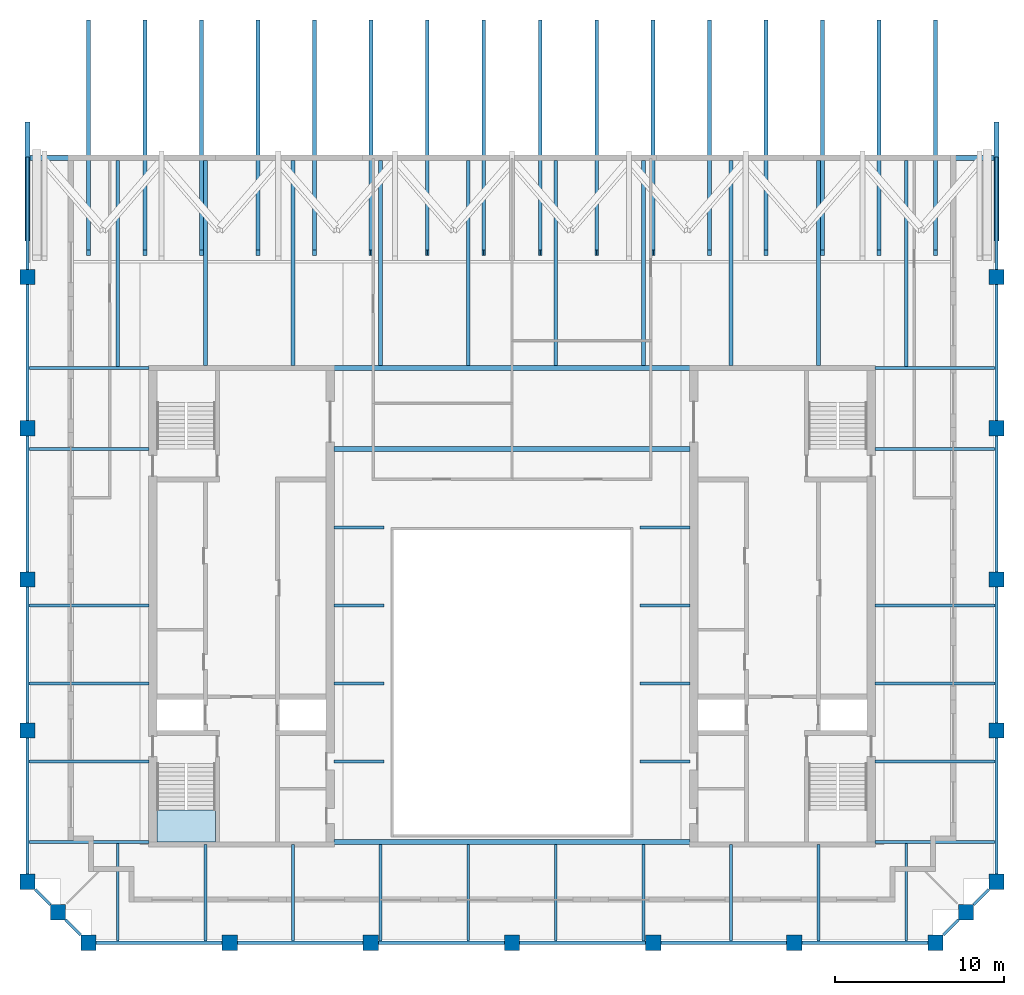
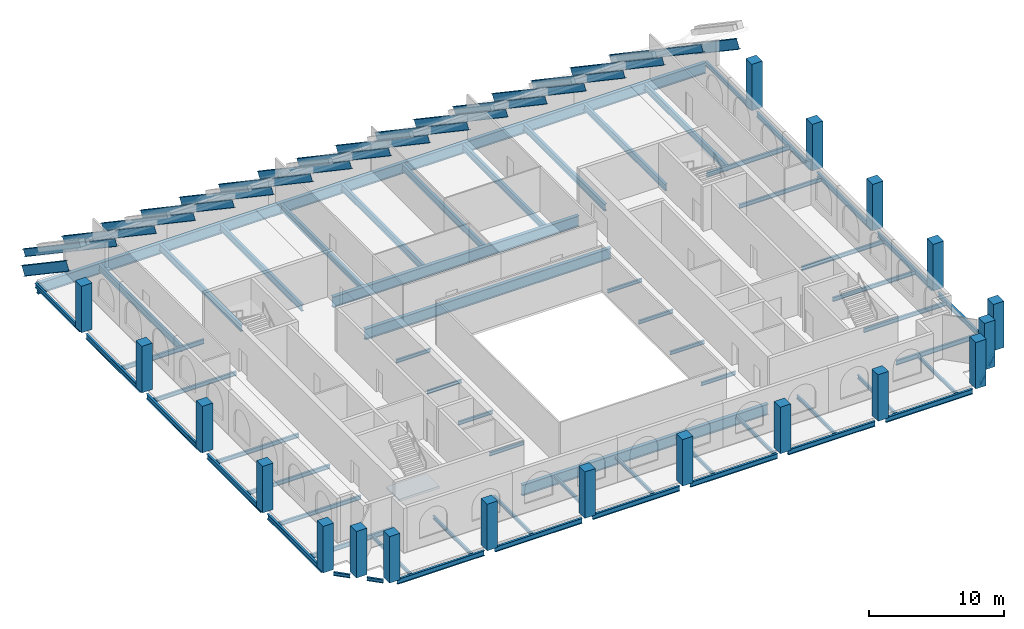
# One storey, part 1 of 8: 66 beams, 19 columns, 16 members, 1 slab, 1 element without a shape of its own.
"""IFC4 building model written with IfcOpenShell, lengths in metres."""

import ifcopenshell
import ifcopenshell.guid

model = None  # the IFC model being written
_history = None  # IfcOwnerHistory: only IFC2X3 demands one
_inside = {}  # id of a spatial element -> (the spatial element, [elements in it])
_under = {}  # id of a project, library or spatial element -> (it, [spatial elements below it])
_declared = {}  # id of a project -> (the project, [libraries it declares])
_typed = {}  # id of a type object -> (the type object, [elements of that type])
_made_of = {}  # id of a material, layer set ... -> (it, [elements and type objects made of it])


def new_model(schema):
    """Start an empty IFC model of exactly this schema.

    Asked for "IFC4X3", IfcOpenShell would pick the latest addendum, in which some entities
    have other attributes; the version numbers below select the first issue.
    IFC2X3 requires an IfcOwnerHistory on every rooted entity: one is made here for all.
    """
    global model, _history
    if schema == "IFC4X3":
        model = ifcopenshell.file(schema_version=(4, 3, 0, 0))
    else:
        model = ifcopenshell.file(schema=schema)
    _inside.clear()
    _under.clear()
    _declared.clear()
    _typed.clear()
    _made_of.clear()
    _history = None
    if model.schema == "IFC2X3":
        org = make("IfcOrganization", Name="unknown")
        user = make(
            "IfcPersonAndOrganization",
            ThePerson=make("IfcPerson", FamilyName="unknown"),
            TheOrganization=org,
        )
        app = make(
            "IfcApplication",
            ApplicationDeveloper=org,
            Version="unknown",
            ApplicationFullName="unknown",
            ApplicationIdentifier="unknown",
        )
        _history = make(
            "IfcOwnerHistory",
            OwningUser=user,
            OwningApplication=app,
            ChangeAction="ADDED",
            CreationDate=0,
        )
    return model


def make(cls, **values):
    """One entity of the class cls with the attributes given. An attribute that is None is left unset."""
    return model.create_entity(
        cls, **{name: value for name, value in values.items() if value is not None}
    )


def rooted(cls, **values):
    """An entity with a GlobalId (a new one), such as an element, a storey or a relation."""
    return make(cls, GlobalId=ifcopenshell.guid.new(), OwnerHistory=_history, **values)


def si_unit(unit_type, name, prefix=None):
    """IfcSIUnit, for example si_unit("LENGTHUNIT", "METRE", prefix="MILLI")."""
    return make("IfcSIUnit", UnitType=unit_type, Prefix=prefix, Name=name)


def assignment(units):
    """IfcUnitAssignment: the units of a project."""
    return None if units is None else make("IfcUnitAssignment", Units=units)


def point(xyz):
    """IfcCartesianPoint."""
    return None if xyz is None else make("IfcCartesianPoint", Coordinates=xyz)


def direction(xyz):
    """IfcDirection."""
    return None if xyz is None else make("IfcDirection", DirectionRatios=xyz)


def frame(location, z_axis=None, x_axis=None):
    """IfcAxis2Placement3D, a coordinate frame: its origin and axes. An axis left out is left unset."""
    return make(
        "IfcAxis2Placement3D",
        Location=point(location),
        Axis=direction(z_axis),
        RefDirection=direction(x_axis),
    )


def frame_2d(location, x_axis=None):
    """IfcAxis2Placement2D, a coordinate frame in the plane: its origin and x axis."""
    return make(
        "IfcAxis2Placement2D", Location=point(location), RefDirection=direction(x_axis)
    )


def origin():
    """The frame at (0, 0, 0) with its axes left unset."""
    return frame((0.0, 0.0, 0.0))


def origin_2d():
    """The frame at (0, 0) in the plane with its x axis left unset."""
    return frame_2d((0.0, 0.0))


def place(relative_to, where):
    """IfcLocalPlacement: puts the frame where relative to a parent placement (None: the world)."""
    return make(
        "IfcLocalPlacement", PlacementRelTo=relative_to, RelativePlacement=where
    )


def context(
    kind, dimensions, precision=None, world=None, true_north=None, identifier=None
):
    """IfcGeometricRepresentationContext, for example the 3D "Model" context."""
    return make(
        "IfcGeometricRepresentationContext",
        ContextIdentifier=identifier,
        ContextType=kind,
        CoordinateSpaceDimension=dimensions,
        Precision=precision,
        WorldCoordinateSystem=world,
        TrueNorth=true_north,
    )


def subcontext(parent, identifier, kind, view, scale=None):
    """IfcGeometricRepresentationSubContext, for example "Body" below "Model"."""
    return make(
        "IfcGeometricRepresentationSubContext",
        ContextIdentifier=identifier,
        ContextType=kind,
        ParentContext=parent,
        TargetScale=scale,
        TargetView=view,
    )


def project(units=None, contexts=None):
    """IfcProject with its units and contexts."""
    return rooted(
        "IfcProject",
        Name="project",
        RepresentationContexts=contexts,
        UnitsInContext=assignment(units),
    )


def spatial(cls, under=None, at=None, **own):
    """A site, building, storey or space (cls), placed at a placement, below another one or the project."""
    s = rooted(cls, ObjectPlacement=at, **own)
    if under is not None:
        _under.setdefault(under.id(), (under, []))[1].append(s)
    return s


def polyline(points):
    """IfcPolyline through the points."""
    return make("IfcPolyline", Points=[point(p) for p in points])


def profile(cls, at=None, kind="AREA", **sizes):
    """A parametric profile (cls). Its sizes go by their IFC names, for example OverallWidth=200.0."""
    return make(cls, ProfileType=kind, Position=at, **sizes)


def rectangle(**sizes):
    """IfcRectangleProfileDef."""
    return profile("IfcRectangleProfileDef", **sizes)


def i_section(**sizes):
    """IfcIShapeProfileDef."""
    return profile("IfcIShapeProfileDef", **sizes)


def outline(outer, holes=None, kind="AREA"):
    """IfcArbitraryClosedProfileDef: a profile drawn as a closed curve; with holes, ...WithVoids."""
    if holes is None:
        return make("IfcArbitraryClosedProfileDef", ProfileType=kind, OuterCurve=outer)
    return make(
        "IfcArbitraryProfileDefWithVoids",
        ProfileType=kind,
        OuterCurve=outer,
        InnerCurves=holes,
    )


def extrude(swept, where, along, depth):
    """IfcExtrudedAreaSolid: the profile swept, set in the frame where, extruded along a direction by depth."""
    return make(
        "IfcExtrudedAreaSolid",
        SweptArea=swept,
        Position=where,
        ExtrudedDirection=direction(along),
        Depth=depth,
    )


def shape(context_of_items, identifier, shape_type, items):
    """IfcShapeRepresentation: the items that make up one representation, for example the "Body"."""
    return make(
        "IfcShapeRepresentation",
        ContextOfItems=context_of_items,
        RepresentationIdentifier=identifier,
        RepresentationType=shape_type,
        Items=items,
    )


def material(Name=None, Category=None):
    """IfcMaterial."""
    return make("IfcMaterial", Name=Name, Category=Category)


def layer(
    of_material, thickness, ventilated=None, Name=None, Category=None, Priority=None
):
    """IfcMaterialLayer: one layer of a wall or slab, of a material (None: an air gap)."""
    return make(
        "IfcMaterialLayer",
        Material=of_material,
        LayerThickness=thickness,
        IsVentilated=ventilated,
        Name=Name,
        Category=Category,
        Priority=Priority,
    )


def layer_set(layers, Name=None):
    """IfcMaterialLayerSet."""
    return make("IfcMaterialLayerSet", MaterialLayers=layers, LayerSetName=Name)


def material_profile(
    of_material, cross_section, Name=None, Category=None, Priority=None
):
    """IfcMaterialProfile: a cross section and its material."""
    return make(
        "IfcMaterialProfile",
        Name=Name,
        Material=of_material,
        Profile=cross_section,
        Priority=Priority,
        Category=Category,
    )


def profile_set(profiles, Name=None, composite=None):
    """IfcMaterialProfileSet."""
    return make(
        "IfcMaterialProfileSet",
        Name=Name,
        MaterialProfiles=profiles,
        CompositeProfile=composite,
    )


def made_of(thing, what):
    """Note that an element or type object is made of a material, layer set ...; save() writes the relation."""
    if what is not None:
        _made_of.setdefault(what.id(), (what, []))[1].append(thing)
    return thing


def type_object(cls, material=None, **own):
    """A type object (cls), such as IfcWallType, which elements share."""
    return made_of(rooted(cls, **own), material)


def element(
    cls,
    number,
    at=None,
    inside=None,
    cuts=None,
    type_object=None,
    material=None,
    context=None,
    identifier="Body",
    shape_type=None,
    held_by="IfcProductDefinitionShape",
    body=None,
    shapes=None,
    **own,
):
    """One element of the class cls, such as IfcWall. Its Tag is "e" and its number.

    at: its placement. inside: the storey or other place that contains it. cuts: it is an
    opening in that element (IfcRelVoidsElement). A single representation is given by context,
    identifier, shape_type and body (its items); several are given by shapes. held_by: the class
    of the entity that holds the representations. save() writes the other relations.
    """
    e = rooted(cls, Tag="e%d" % number, ObjectPlacement=at, **own)
    if body is not None:
        shapes = [shape(context, identifier, shape_type, body)]
    if shapes is not None:
        e.Representation = make(held_by, Representations=shapes)
    if inside is not None:
        _inside.setdefault(inside.id(), (inside, []))[1].append(e)
    if cuts is not None:
        rooted(
            "IfcRelVoidsElement", RelatingBuildingElement=cuts, RelatedOpeningElement=e
        )
    if type_object is not None:
        _typed.setdefault(type_object.id(), (type_object, []))[1].append(e)
    return made_of(e, material)


def aggregate(whole, parts):
    """IfcRelAggregates: a whole, such as a stair, and the parts it consists of."""
    return rooted("IfcRelAggregates", RelatingObject=whole, RelatedObjects=parts)


def save(model, path):
    """Write the relations noted so far, then the file.

    IfcRelAggregates (storeys below a building ...), IfcRelContainedInSpatialStructure (elements
    in a storey), IfcRelDefinesByType, IfcRelAssociatesMaterial and IfcRelDeclares: one each for
    every whole, place, type object, material and project.
    """
    for whole, parts in _under.values():
        aggregate(whole, parts)
    for where, things in _inside.values():
        rooted(
            "IfcRelContainedInSpatialStructure",
            RelatedElements=things,
            RelatingStructure=where,
        )
    for kind, things in _typed.values():
        rooted("IfcRelDefinesByType", RelatedObjects=things, RelatingType=kind)
    for what, things in _made_of.values():
        rooted("IfcRelAssociatesMaterial", RelatedObjects=things, RelatingMaterial=what)
    for by, libraries in _declared.values():
        rooted("IfcRelDeclares", RelatingContext=by, RelatedDefinitions=libraries)
    model.write(path)


model = new_model("IFC4")

# Units and contexts
model_context = context("Model", 3, precision=1e-05, world=origin(), true_north=direction((0.0, 1.0)))
body_context = subcontext(model_context, "Body", "Model", "MODEL_VIEW")
ifc_project = project(units=[si_unit("LENGTHUNIT", "METRE"), si_unit("AREAUNIT", "SQUARE_METRE"), si_unit("VOLUMEUNIT", "CUBIC_METRE"), si_unit("PLANEANGLEUNIT", "RADIAN"), si_unit("MASSUNIT", "GRAM", prefix="KILO")], contexts=[model_context])

# Site, building, storey
site_placement = place(None, origin())
site = spatial("IfcSite", under=ifc_project, at=site_placement, CompositionType="ELEMENT")
building_placement = place(site_placement, origin())
building = spatial("IfcBuilding", under=site, at=building_placement, Name="Ogive Exchange Tower", CompositionType="ELEMENT")
storey_placement = place(building_placement, frame((0.0, 0.0, 381.60009765625)))
storey = spatial("IfcBuildingStorey", under=building, at=storey_placement, Name="C04", CompositionType="ELEMENT", Elevation=381.60009765625)

# Columns
ifc_material_1 = material(Name="Precast concrete C70/85 (limestone faced)", Category="masonry")
ifc_material_profile_1 = material_profile(ifc_material_1, rectangle(XDim=0.89990234375, YDim=0.89990234375, at=origin_2d()), Name="900 x 900")
ifc_profile_set_1 = profile_set([ifc_material_profile_1], Name="Precast concrete C70/85 (limestone faced)")
column_type = type_object("IfcColumnType", Name="Precast exoskeleton leg 900 x 900 C70/85", PredefinedType="COLUMN", material=ifc_profile_set_1)
for number, where, z_axis, x_axis, name in (
    (1, (-25.050048828125, -8.39990234375, 0.0), (0.0, 0.0, 1.0), (1.0, 0.0, 0.0), "Crown leg 1"),
    (2, (-16.699951171875, -8.39990234375, 0.0), (0.0, 0.0, 1.0), (1.0, 0.0, 0.0), "Crown leg 2"),
    (3, (-8.35009765625, -8.39990234375, 0.0), (0.0, 0.0, 1.0), (1.0, 0.0, 0.0), "Crown leg 3"),
    (4, (0.0, -8.39990234375, 0.0), (0.0, 0.0, 1.0), (1.0, 0.0, 0.0), "Crown leg 4"),
    (5, (8.35009765625, -8.39990234375, 0.0), (0.0, 0.0, 1.0), (1.0, 0.0, 0.0), "Crown leg 5"),
    (6, (16.699951171875, -8.39990234375, 0.0), (0.0, 0.0, 1.0), (1.0, 0.0, 0.0), "Crown leg 6"),
    (7, (25.050048828125, -8.39990234375, 0.0), (0.0, 0.0, 1.0), (1.0, 0.0, 0.0), "Crown leg 7"),
    (8, (28.64990234375, -4.800048828125, 0.0), (0.0, 0.0, 1.0), (1.0, 0.0, 0.0), "Crown leg 8"),
    (9, (28.64990234375, 4.142822265625, 0.0), (0.0, 0.0, 1.0), (1.0, 0.0, 0.0), "Crown leg 9"),
    (10, (28.64990234375, 13.085693359375, 0.0), (0.0, 0.0, 1.0), (1.0, 0.0, 0.0), "Crown leg 10"),
    (11, (28.64990234375, 22.028564453125, 0.0), (0.0, 0.0, 1.0), (1.0, 0.0, 0.0), "Crown leg 11"),
    (12, (28.64990234375, 30.971435546875, 0.0), (0.0, 0.0, 1.0), (1.0, 0.0, 0.0), "Crown leg 12"),
    (13, (-28.64990234375, 30.971435546875, 0.0), (0.0, 0.0, 1.0), (1.0, 0.0, 0.0), "Crown leg 26"),
    (14, (-28.64990234375, 22.028564453125, 0.0), (0.0, 0.0, 1.0), (1.0, 0.0, 0.0), "Crown leg 27"),
    (15, (-28.64990234375, 13.085693359375, 0.0), (0.0, 0.0, 1.0), (1.0, 0.0, 0.0), "Crown leg 28"),
    (16, (-28.64990234375, 4.142822265625, 0.0), (0.0, 0.0, 1.0), (1.0, 0.0, 0.0), "Crown leg 29"),
    (17, (-28.64990234375, -4.800048828125, 0.0), (0.0, 0.0, 1.0), (1.0, 0.0, 0.0), "Crown leg 30"),
    (18, (26.85009765625, -6.60009765625, 0.0), (0.0, 0.0, 1.0), (1.0, 0.0, 0.0), "Crown leg 31"),
    (19, (-26.85009765625, -6.60009765625, 0.0), (0.0, 0.0, 1.0), (1.0, 0.0, 0.0), "Crown leg 34"),
):
    element("IfcColumn", number, at=place(storey_placement, frame(where, z_axis=z_axis, x_axis=x_axis)), inside=storey, type_object=column_type, Name=name, PredefinedType="COLUMN", context=body_context, shape_type="SweptSolid", body=[
        extrude(rectangle(XDim=0.89990234375, YDim=0.89990234375, at=origin_2d()), origin(), (0.0, 0.0, 1.0), 4.199951171875),
    ])

# Members
ifc_material_2 = material(Name="Steel ASTM A992 Gr50", Category="steel")
ifc_material_profile_2 = material_profile(ifc_material_2, i_section(OverallWidth=0.22900390625, OverallDepth=0.612060546875, WebThickness=0.011962890625, FlangeThickness=0.01953125, at=origin_2d()), Name="W610x125")
ifc_profile_set_2 = profile_set([ifc_material_profile_2], Name="Steel ASTM A992 Gr50")
member_type = type_object("IfcMemberType", Name="Crown rafter W610x125", PredefinedType="RAFTER", material=ifc_profile_set_2)
for number, where, z_axis, x_axis, name in (
    (20, (-25.050048828125, 32.39990234375, 5.6240234375), (0.0, 0.829038755374, -0.559191149866), (-1.0, 0.0, 0.0), "Crown rafter"),
    (21, (-21.7099609375, 32.39990234375, 5.6240234375), (0.0, 0.829038755374, -0.559191149866), (-1.0, 0.0, 0.0), "Crown rafter"),
    (22, (-18.3701171875, 32.39990234375, 5.6240234375), (0.0, 0.829038755374, -0.559191149866), (-1.0, 0.0, 0.0), "Crown rafter"),
    (23, (-15.030029296875, 32.39990234375, 5.6240234375), (0.0, 0.829038755374, -0.559191149866), (-1.0, 0.0, 0.0), "Crown rafter"),
    (24, (-11.68994140625, 32.39990234375, 5.6240234375), (0.0, 0.829038755374, -0.559191149866), (-1.0, 0.0, 0.0), "Crown rafter"),
    (25, (-8.35009765625, 32.39990234375, 5.6240234375), (0.0, 0.829038755374, -0.559191149866), (-1.0, 0.0, 0.0), "Crown rafter"),
    (26, (-5.010009765625, 32.39990234375, 5.6240234375), (0.0, 0.829038755374, -0.559191149866), (-1.0, 0.0, 0.0), "Crown rafter"),
    (27, (-1.669921875, 32.39990234375, 5.6240234375), (0.0, 0.829038755374, -0.559191149866), (-1.0, 0.0, 0.0), "Crown rafter"),
    (28, (1.669921875, 32.39990234375, 5.6240234375), (0.0, 0.829038755374, -0.559191149866), (-1.0, 0.0, 0.0), "Crown rafter"),
    (29, (5.010009765625, 32.39990234375, 5.6240234375), (0.0, 0.829038755374, -0.559191149866), (-1.0, 0.0, 0.0), "Crown rafter"),
    (30, (8.35009765625, 32.39990234375, 5.6240234375), (0.0, 0.829038755374, -0.559191149866), (-1.0, 0.0, 0.0), "Crown rafter"),
    (31, (11.68994140625, 32.39990234375, 5.6240234375), (0.0, 0.829038755374, -0.559191149866), (-1.0, 0.0, 0.0), "Crown rafter"),
    (32, (15.030029296875, 32.39990234375, 5.6240234375), (0.0, 0.829038755374, -0.559191149866), (-1.0, 0.0, 0.0), "Crown rafter"),
    (33, (18.3701171875, 32.39990234375, 5.6240234375), (0.0, 0.829038755374, -0.559191149866), (-1.0, 0.0, 0.0), "Crown rafter"),
    (34, (21.7099609375, 32.39990234375, 5.6240234375), (0.0, 0.829038755374, -0.559191149866), (-1.0, 0.0, 0.0), "Crown rafter"),
    (35, (25.050048828125, 32.39990234375, 5.6240234375), (0.0, 0.829038755374, -0.559191149866), (-1.0, 0.0, 0.0), "Crown rafter"),
):
    element("IfcMember", number, at=place(storey_placement, frame(where, z_axis=z_axis, x_axis=x_axis)), inside=storey, type_object=member_type, Name=name, PredefinedType="RAFTER", context=body_context, shape_type="SweptSolid", body=[
        extrude(i_section(OverallWidth=0.22900390625, OverallDepth=0.612060546875, WebThickness=0.011962890625, FlangeThickness=0.01953125, at=origin_2d()), origin(), (0.0, 0.0, 1.0), 16.404541015625),
    ])

# Beams
ifc_material_profile_3 = material_profile(ifc_material_2, i_section(OverallWidth=0.2919921875, OverallDepth=0.8359375, WebThickness=0.013916015625, FlangeThickness=0.018798828125, at=origin_2d()), Name="W840x176")
ifc_profile_set_3 = profile_set([ifc_material_profile_3], Name="Steel ASTM A992 Gr50")
beam_type_1 = type_object("IfcBeamType", Name="Crown raking ring beam W840x176", PredefinedType="BEAM", material=ifc_profile_set_3)
for number, where, z_axis, x_axis, name in (
    (36, (28.64990234375, 33.344970703125, 4.199951171875), (0.0, 0.829032932924, -0.559199781945), (-1.0, 0.0, 0.0), "Crown ring beam 13"),
    (37, (-28.64990234375, 39.914306640625, -0.231201171875), (0.0, -0.829032932924, 0.559199781945), (1.0, 0.0, 0.0), "Crown ring beam 28"),
):
    element("IfcBeam", number, at=place(storey_placement, frame(where, z_axis=z_axis, x_axis=x_axis)), inside=storey, type_object=beam_type_1, Name=name, PredefinedType="BEAM", context=body_context, shape_type="SweptSolid", body=[
        extrude(i_section(OverallWidth=0.2919921875, OverallDepth=0.8359375, WebThickness=0.013916015625, FlangeThickness=0.018798828125, at=origin_2d()), origin(), (0.0, 0.0, 1.0), 7.924072265625),
    ])
ifc_material_profile_4 = material_profile(ifc_material_2, i_section(OverallWidth=0.300048828125, OverallDepth=0.97998046875, WebThickness=0.0166015625, FlangeThickness=0.026123046875, at=origin_2d()), Name="W1000x249")
ifc_profile_set_4 = profile_set([ifc_material_profile_4], Name="Steel ASTM A992 Gr50")
beam_type_2 = type_object("IfcBeamType", Name="Floor beam W1000x249", PredefinedType="JOIST", material=ifc_profile_set_4)
beam_1_placement = place(storey_placement, frame((-10.52001953125, 20.797607421875, -0.690185546875), z_axis=(1.0, 0.0, 0.0), x_axis=(0.0, 1.0, 0.0)))
element("IfcBeam", 38, at=beam_1_placement, inside=storey, type_object=beam_type_2, Name="Floor beam", PredefinedType="JOIST", context=body_context, shape_type="SweptSolid", body=[
    extrude(i_section(OverallWidth=0.300048828125, OverallDepth=0.97998046875, WebThickness=0.0166015625, FlangeThickness=0.026123046875, at=origin_2d()), origin(), (0.0, 0.0, 1.0), 21.0400390625),
])
ifc_material_profile_5 = material_profile(ifc_material_2, i_section(OverallWidth=0.1650390625, OverallDepth=0.31005859375, WebThickness=0.005859375, FlangeThickness=0.009765625, at=origin_2d()), Name="W310x38.7")
ifc_profile_set_5 = profile_set([ifc_material_profile_5], Name="Steel ASTM A992 Gr50")
beam_type_3 = type_object("IfcBeamType", Name="Floor beam W310x38.7", PredefinedType="JOIST", material=ifc_profile_set_5)
for number, where, z_axis, x_axis, name in (
    (39, (-10.52001953125, 2.3212890625, -0.35498046875), (1.0, 0.0, 0.0), (0.0, 1.0, 0.0), "Floor beam"),
    (40, (7.570068359375, 2.3212890625, -0.35498046875), (1.0, 0.0, 0.0), (0.0, 1.0, 0.0), "Floor beam"),
    (41, (-10.52001953125, 6.9326171875, -0.35498046875), (1.0, 0.0, 0.0), (0.0, 1.0, 0.0), "Floor beam"),
    (42, (7.570068359375, 6.9326171875, -0.35498046875), (1.0, 0.0, 0.0), (0.0, 1.0, 0.0), "Floor beam"),
    (43, (-10.52001953125, 11.543701171875, -0.35498046875), (1.0, 0.0, 0.0), (0.0, 1.0, 0.0), "Floor beam"),
    (44, (7.570068359375, 11.543701171875, -0.35498046875), (1.0, 0.0, 0.0), (0.0, 1.0, 0.0), "Floor beam"),
):
    element("IfcBeam", number, at=place(storey_placement, frame(where, z_axis=z_axis, x_axis=x_axis)), inside=storey, type_object=beam_type_3, Name=name, PredefinedType="JOIST", context=body_context, shape_type="SweptSolid", body=[
        extrude(i_section(OverallWidth=0.1650390625, OverallDepth=0.31005859375, WebThickness=0.005859375, FlangeThickness=0.009765625, at=origin_2d()), origin(), (0.0, 0.0, 1.0), 2.949951171875),
    ])
beam_2_placement = place(storey_placement, frame((-23.314208984375, -8.304443359375, -0.35498046875), z_axis=(0.0, 1.0, 0.0), x_axis=(-1.0, 0.0, 0.0)))
element("IfcBeam", 45, at=beam_2_placement, inside=storey, type_object=beam_type_3, Name="Floor beam", PredefinedType="JOIST", context=body_context, shape_type="SweptSolid", body=[
    extrude(i_section(OverallWidth=0.1650390625, OverallDepth=0.31005859375, WebThickness=0.005859375, FlangeThickness=0.009765625, at=origin_2d()), origin(), (0.0, 0.0, 1.0), 5.7705078125),
])
for number, where, z_axis, x_axis, name in (
    (46, (-18.13330078125, -8.304443359375, -0.35498046875), (0.0, 1.0, 0.0), (-1.0, 0.0, 0.0), "Floor beam"),
    (47, (-12.952392578125, -8.304443359375, -0.35498046875), (0.0, 1.0, 0.0), (-1.0, 0.0, 0.0), "Floor beam"),
):
    element("IfcBeam", number, at=place(storey_placement, frame(where, z_axis=z_axis, x_axis=x_axis)), inside=storey, type_object=beam_type_3, Name=name, PredefinedType="JOIST", context=body_context, shape_type="SweptSolid", body=[
        extrude(i_section(OverallWidth=0.1650390625, OverallDepth=0.31005859375, WebThickness=0.005859375, FlangeThickness=0.009765625, at=origin_2d()), origin(), (0.0, 0.0, 1.0), 5.704345703125),
    ])
for number, where, z_axis, x_axis, name in (
    (48, (-7.771484375, -8.304443359375, -0.35498046875), (0.0, 1.0, 0.0), (-1.0, 0.0, 0.0), "Floor beam"),
    (49, (-2.590576171875, -8.304443359375, -0.35498046875), (0.0, 1.0, 0.0), (-1.0, 0.0, 0.0), "Floor beam"),
    (50, (2.590576171875, -8.304443359375, -0.35498046875), (0.0, 1.0, 0.0), (-1.0, 0.0, 0.0), "Floor beam"),
    (51, (7.771484375, -8.304443359375, -0.35498046875), (0.0, 1.0, 0.0), (-1.0, 0.0, 0.0), "Floor beam"),
):
    element("IfcBeam", number, at=place(storey_placement, frame(where, z_axis=z_axis, x_axis=x_axis)), inside=storey, type_object=beam_type_3, Name=name, PredefinedType="JOIST", context=body_context, shape_type="SweptSolid", body=[
        extrude(i_section(OverallWidth=0.1650390625, OverallDepth=0.31005859375, WebThickness=0.005859375, FlangeThickness=0.009765625, at=origin_2d()), origin(), (0.0, 0.0, 1.0), 5.70947265625),
    ])
for number, where, z_axis, x_axis, name in (
    (52, (12.952392578125, -8.304443359375, -0.35498046875), (0.0, 1.0, 0.0), (-1.0, 0.0, 0.0), "Floor beam"),
    (53, (18.13330078125, -8.304443359375, -0.35498046875), (0.0, 1.0, 0.0), (-1.0, 0.0, 0.0), "Floor beam"),
):
    element("IfcBeam", number, at=place(storey_placement, frame(where, z_axis=z_axis, x_axis=x_axis)), inside=storey, type_object=beam_type_3, Name=name, PredefinedType="JOIST", context=body_context, shape_type="SweptSolid", body=[
        extrude(i_section(OverallWidth=0.1650390625, OverallDepth=0.31005859375, WebThickness=0.005859375, FlangeThickness=0.009765625, at=origin_2d()), origin(), (0.0, 0.0, 1.0), 5.704345703125),
    ])
beam_3_placement = place(storey_placement, frame((23.314208984375, -8.304443359375, -0.35498046875), z_axis=(0.0, 1.0, 0.0), x_axis=(-1.0, 0.0, 0.0)))
element("IfcBeam", 54, at=beam_3_placement, inside=storey, type_object=beam_type_3, Name="Floor beam", PredefinedType="JOIST", context=body_context, shape_type="SweptSolid", body=[
    extrude(i_section(OverallWidth=0.1650390625, OverallDepth=0.31005859375, WebThickness=0.005859375, FlangeThickness=0.009765625, at=origin_2d()), origin(), (0.0, 0.0, 1.0), 5.7705078125),
])
ifc_material_profile_6 = material_profile(ifc_material_2, i_section(OverallWidth=0.1708984375, OverallDepth=0.35595703125, WebThickness=0.00732421875, FlangeThickness=0.01171875, at=origin_2d()), Name="W360x51")
ifc_profile_set_6 = profile_set([ifc_material_profile_6], Name="Steel ASTM A992 Gr50")
beam_type_4 = type_object("IfcBeamType", Name="Floor beam W360x51", PredefinedType="JOIST", material=ifc_profile_set_6)
for number, where, z_axis, x_axis, name in (
    (55, (-28.554443359375, 2.3212890625, -0.378173828125), (1.0, 0.0, 0.0), (0.0, 1.0, 0.0), "Floor beam"),
    (56, (21.47998046875, 2.3212890625, -0.378173828125), (1.0, 0.0, 0.0), (0.0, 1.0, 0.0), "Floor beam"),
    (57, (-28.554443359375, 6.9326171875, -0.378173828125), (1.0, 0.0, 0.0), (0.0, 1.0, 0.0), "Floor beam"),
    (58, (21.47998046875, 6.9326171875, -0.378173828125), (1.0, 0.0, 0.0), (0.0, 1.0, 0.0), "Floor beam"),
    (59, (-28.554443359375, 11.543701171875, -0.378173828125), (1.0, 0.0, 0.0), (0.0, 1.0, 0.0), "Floor beam"),
    (60, (21.47998046875, 11.543701171875, -0.378173828125), (1.0, 0.0, 0.0), (0.0, 1.0, 0.0), "Floor beam"),
    (61, (-28.554443359375, 20.797607421875, -0.378173828125), (1.0, 0.0, 0.0), (0.0, 1.0, 0.0), "Floor beam"),
    (62, (21.47998046875, 20.797607421875, -0.378173828125), (1.0, 0.0, 0.0), (0.0, 1.0, 0.0), "Floor beam"),
):
    element("IfcBeam", number, at=place(storey_placement, frame(where, z_axis=z_axis, x_axis=x_axis)), inside=storey, type_object=beam_type_4, Name=name, PredefinedType="JOIST", context=body_context, shape_type="SweptSolid", body=[
        extrude(i_section(OverallWidth=0.1708984375, OverallDepth=0.35595703125, WebThickness=0.00732421875, FlangeThickness=0.01171875, at=origin_2d()), origin(), (0.0, 0.0, 1.0), 7.074462890625),
    ])
ifc_material_profile_7 = material_profile(ifc_material_2, i_section(OverallWidth=0.22802734375, OverallDepth=0.60205078125, WebThickness=0.010498046875, FlangeThickness=0.014892578125, at=origin_2d()), Name="W610x101")
ifc_profile_set_7 = profile_set([ifc_material_profile_7], Name="Steel ASTM A992 Gr50")
beam_type_5 = type_object("IfcBeamType", Name="Floor beam W610x101", PredefinedType="JOIST", material=ifc_profile_set_7)
beam_4_placement = place(storey_placement, frame((-23.314208984375, 25.68408203125, -0.5009765625), z_axis=(0.0, 1.0, 0.0), x_axis=(-1.0, 0.0, 0.0)))
element("IfcBeam", 63, at=beam_4_placement, inside=storey, type_object=beam_type_5, Name="Floor beam", PredefinedType="JOIST", context=body_context, shape_type="SweptSolid", body=[
    extrude(i_section(OverallWidth=0.22802734375, OverallDepth=0.60205078125, WebThickness=0.010498046875, FlangeThickness=0.014892578125, at=origin_2d()), origin(), (0.0, 0.0, 1.0), 12.185302734375),
])
for number, where, z_axis, x_axis, name in (
    (64, (-18.13330078125, 25.75, -0.5009765625), (0.0, 1.0, 0.0), (-1.0, 0.0, 0.0), "Floor beam"),
    (65, (-12.952392578125, 25.75, -0.5009765625), (0.0, 1.0, 0.0), (-1.0, 0.0, 0.0), "Floor beam"),
):
    element("IfcBeam", number, at=place(storey_placement, frame(where, z_axis=z_axis, x_axis=x_axis)), inside=storey, type_object=beam_type_5, Name=name, PredefinedType="JOIST", context=body_context, shape_type="SweptSolid", body=[
        extrude(i_section(OverallWidth=0.22802734375, OverallDepth=0.60205078125, WebThickness=0.010498046875, FlangeThickness=0.014892578125, at=origin_2d()), origin(), (0.0, 0.0, 1.0), 12.119384765625),
    ])
for number, where, z_axis, x_axis, name in (
    (66, (-7.771484375, 25.7451171875, -0.5009765625), (0.0, 1.0, 0.0), (-1.0, 0.0, 0.0), "Floor beam"),
    (67, (-2.590576171875, 25.7451171875, -0.5009765625), (0.0, 1.0, 0.0), (-1.0, 0.0, 0.0), "Floor beam"),
    (68, (2.590576171875, 25.7451171875, -0.5009765625), (0.0, 1.0, 0.0), (-1.0, 0.0, 0.0), "Floor beam"),
    (69, (7.771484375, 25.7451171875, -0.5009765625), (0.0, 1.0, 0.0), (-1.0, 0.0, 0.0), "Floor beam"),
):
    element("IfcBeam", number, at=place(storey_placement, frame(where, z_axis=z_axis, x_axis=x_axis)), inside=storey, type_object=beam_type_5, Name=name, PredefinedType="JOIST", context=body_context, shape_type="SweptSolid", body=[
        extrude(i_section(OverallWidth=0.22802734375, OverallDepth=0.60205078125, WebThickness=0.010498046875, FlangeThickness=0.014892578125, at=origin_2d()), origin(), (0.0, 0.0, 1.0), 12.124267578125),
    ])
for number, where, z_axis, x_axis, name in (
    (70, (12.952392578125, 25.75, -0.5009765625), (0.0, 1.0, 0.0), (-1.0, 0.0, 0.0), "Floor beam"),
    (71, (18.13330078125, 25.75, -0.5009765625), (0.0, 1.0, 0.0), (-1.0, 0.0, 0.0), "Floor beam"),
):
    element("IfcBeam", number, at=place(storey_placement, frame(where, z_axis=z_axis, x_axis=x_axis)), inside=storey, type_object=beam_type_5, Name=name, PredefinedType="JOIST", context=body_context, shape_type="SweptSolid", body=[
        extrude(i_section(OverallWidth=0.22802734375, OverallDepth=0.60205078125, WebThickness=0.010498046875, FlangeThickness=0.014892578125, at=origin_2d()), origin(), (0.0, 0.0, 1.0), 12.119384765625),
    ])
beam_5_placement = place(storey_placement, frame((23.314208984375, 25.68408203125, -0.5009765625), z_axis=(0.0, 1.0, 0.0), x_axis=(-1.0, 0.0, 0.0)))
element("IfcBeam", 72, at=beam_5_placement, inside=storey, type_object=beam_type_5, Name="Floor beam", PredefinedType="JOIST", context=body_context, shape_type="SweptSolid", body=[
    extrude(i_section(OverallWidth=0.22802734375, OverallDepth=0.60205078125, WebThickness=0.010498046875, FlangeThickness=0.014892578125, at=origin_2d()), origin(), (0.0, 0.0, 1.0), 12.185302734375),
])
ifc_material_profile_8 = material_profile(ifc_material_2, i_section(OverallWidth=0.300048828125, OverallDepth=0.97998046875, WebThickness=0.0166015625, FlangeThickness=0.026123046875, at=origin_2d()), Name="W1000x249")
ifc_profile_set_8 = profile_set([ifc_material_profile_8], Name="Steel ASTM A992 Gr50")
beam_type_6 = type_object("IfcBeamType", Name="Girder W1000x249", PredefinedType="BEAM", material=ifc_profile_set_8)
beam_6_placement = place(storey_placement, frame((-28.56103515625, 38.019287109375, -0.690185546875), z_axis=(1.0, 0.0, 0.0), x_axis=(0.0, 1.0, 0.0)))
element("IfcBeam", 73, at=beam_6_placement, inside=storey, type_object=beam_type_6, Name="Trimmer girder", PredefinedType="BEAM", context=body_context, shape_type="SweptSolid", body=[
    extrude(i_section(OverallWidth=0.300048828125, OverallDepth=0.97998046875, WebThickness=0.0166015625, FlangeThickness=0.026123046875, at=origin_2d()), origin(), (0.0, 0.0, 1.0), 57.1220703125),
])
for number, where, z_axis, x_axis, name in (
    (74, (-10.52001953125, -2.445068359375, -0.690185546875), (1.0, 0.0, 0.0), (0.0, 1.0, 0.0), "Header girder"),
    (75, (-10.52001953125, 25.594970703125, -0.690185546875), (1.0, 0.0, 0.0), (0.0, 1.0, 0.0), "Header girder"),
):
    element("IfcBeam", number, at=place(storey_placement, frame(where, z_axis=z_axis, x_axis=x_axis)), inside=storey, type_object=beam_type_6, Name=name, PredefinedType="BEAM", context=body_context, shape_type="SweptSolid", body=[
        extrude(i_section(OverallWidth=0.300048828125, OverallDepth=0.97998046875, WebThickness=0.0166015625, FlangeThickness=0.026123046875, at=origin_2d()), origin(), (0.0, 0.0, 1.0), 21.0400390625),
    ])
ifc_material_profile_9 = material_profile(ifc_material_2, i_section(OverallWidth=0.1650390625, OverallDepth=0.31005859375, WebThickness=0.005859375, FlangeThickness=0.009765625, at=origin_2d()), Name="W310x38.7")
ifc_profile_set_9 = profile_set([ifc_material_profile_9], Name="Steel ASTM A992 Gr50")
beam_type_7 = type_object("IfcBeamType", Name="Girder W310x38.7", PredefinedType="BEAM", material=ifc_profile_set_9)
for number, where, z_axis, x_axis, name in (
    (76, (-28.199951171875, -5.25, -0.35498046875), (0.707106781187, -0.707106781187, 0.0), (0.707106781187, 0.707106781187, 0.0), "Girder"),
    (77, (-26.39990234375, -7.050048828125, -0.35498046875), (0.707106781187, -0.707106781187, 0.0), (0.707106781187, 0.707106781187, 0.0), "Girder"),
    (78, (25.5, -7.949951171875, -0.35498046875), (0.707106781187, 0.707106781187, 0.0), (-0.707106781187, 0.707106781187, 0.0), "Girder"),
    (79, (27.300048828125, -6.14990234375, -0.35498046875), (0.707106781187, 0.707106781187, 0.0), (-0.707106781187, 0.707106781187, 0.0), "Girder"),
):
    element("IfcBeam", number, at=place(storey_placement, frame(where, z_axis=z_axis, x_axis=x_axis)), inside=storey, type_object=beam_type_7, Name=name, PredefinedType="BEAM", context=body_context, shape_type="SweptSolid", body=[
        extrude(i_section(OverallWidth=0.1650390625, OverallDepth=0.31005859375, WebThickness=0.005859375, FlangeThickness=0.009765625, at=origin_2d()), origin(), (0.0, 0.0, 1.0), 1.272705078125),
    ])
for number, where, z_axis, x_axis, name in (
    (80, (-10.52001953125, 16.155029296875, -0.35498046875), (1.0, 0.0, 0.0), (0.0, 1.0, 0.0), "Trimmer girder"),
    (81, (7.570068359375, 16.155029296875, -0.35498046875), (1.0, 0.0, 0.0), (0.0, 1.0, 0.0), "Trimmer girder"),
):
    element("IfcBeam", number, at=place(storey_placement, frame(where, z_axis=z_axis, x_axis=x_axis)), inside=storey, type_object=beam_type_7, Name=name, PredefinedType="BEAM", context=body_context, shape_type="SweptSolid", body=[
        extrude(i_section(OverallWidth=0.1650390625, OverallDepth=0.31005859375, WebThickness=0.005859375, FlangeThickness=0.009765625, at=origin_2d()), origin(), (0.0, 0.0, 1.0), 2.949951171875),
    ])
ifc_material_profile_10 = material_profile(ifc_material_2, i_section(OverallWidth=0.177978515625, OverallDepth=0.406005859375, WebThickness=0.0078125, FlangeThickness=0.0126953125, at=origin_2d()), Name="W410x60")
ifc_profile_set_10 = profile_set([ifc_material_profile_10], Name="Steel ASTM A992 Gr50")
beam_type_8 = type_object("IfcBeamType", Name="Girder W410x60", PredefinedType="BEAM", material=ifc_profile_set_10)
for number, where, z_axis, x_axis, name in (
    (82, (28.64990234375, 31.42138671875, -0.403076171875), (0.0, 1.0, 0.0), (-1.0, 0.0, 0.0), "Girder"),
    (83, (-28.64990234375, 38.079345703125, -0.403076171875), (0.0, -1.0, 0.0), (1.0, 0.0, 0.0), "Girder"),
):
    element("IfcBeam", number, at=place(storey_placement, frame(where, z_axis=z_axis, x_axis=x_axis)), inside=storey, type_object=beam_type_8, Name=name, PredefinedType="BEAM", context=body_context, shape_type="SweptSolid", body=[
        extrude(i_section(OverallWidth=0.177978515625, OverallDepth=0.406005859375, WebThickness=0.0078125, FlangeThickness=0.0126953125, at=origin_2d()), origin(), (0.0, 0.0, 1.0), 6.657958984375),
    ])
for number, where, z_axis, x_axis, name in (
    (84, (-28.554443359375, -2.445068359375, -0.403076171875), (1.0, 0.0, 0.0), (0.0, 1.0, 0.0), "Header girder"),
    (85, (21.47998046875, -2.445068359375, -0.403076171875), (1.0, 0.0, 0.0), (0.0, 1.0, 0.0), "Header girder"),
    (86, (-28.554443359375, 25.594970703125, -0.403076171875), (1.0, 0.0, 0.0), (0.0, 1.0, 0.0), "Header girder"),
    (87, (21.47998046875, 25.594970703125, -0.403076171875), (1.0, 0.0, 0.0), (0.0, 1.0, 0.0), "Header girder"),
):
    element("IfcBeam", number, at=place(storey_placement, frame(where, z_axis=z_axis, x_axis=x_axis)), inside=storey, type_object=beam_type_8, Name=name, PredefinedType="BEAM", context=body_context, shape_type="SweptSolid", body=[
        extrude(i_section(OverallWidth=0.177978515625, OverallDepth=0.406005859375, WebThickness=0.0078125, FlangeThickness=0.0126953125, at=origin_2d()), origin(), (0.0, 0.0, 1.0), 7.074462890625),
    ])
ifc_material_profile_11 = material_profile(ifc_material_2, i_section(OverallWidth=0.19091796875, OverallDepth=0.45703125, WebThickness=0.009033203125, FlangeThickness=0.014404296875, at=origin_2d()), Name="W460x74")
ifc_profile_set_11 = profile_set([ifc_material_profile_11], Name="Steel ASTM A992 Gr50")
beam_type_9 = type_object("IfcBeamType", Name="Girder W460x74", PredefinedType="BEAM", material=ifc_profile_set_11)
for number, where, z_axis, x_axis, name in (
    (88, (-28.64990234375, 30.521484375, -0.4287109375), (0.0, -1.0, 0.0), (1.0, 0.0, 0.0), "Girder"),
    (89, (-28.64990234375, 21.57861328125, -0.4287109375), (0.0, -1.0, 0.0), (1.0, 0.0, 0.0), "Girder"),
):
    element("IfcBeam", number, at=place(storey_placement, frame(where, z_axis=z_axis, x_axis=x_axis)), inside=storey, type_object=beam_type_9, Name=name, PredefinedType="BEAM", context=body_context, shape_type="SweptSolid", body=[
        extrude(i_section(OverallWidth=0.19091796875, OverallDepth=0.45703125, WebThickness=0.009033203125, FlangeThickness=0.014404296875, at=origin_2d()), origin(), (0.0, 0.0, 1.0), 8.04296875),
    ])
beam_7_placement = place(storey_placement, frame((-28.64990234375, 12.6357421875, -0.4287109375), z_axis=(0.0, -1.0, 0.0), x_axis=(1.0, 0.0, 0.0)))
element("IfcBeam", 90, at=beam_7_placement, inside=storey, type_object=beam_type_9, Name="Girder", PredefinedType="BEAM", context=body_context, shape_type="SweptSolid", body=[
    extrude(i_section(OverallWidth=0.19091796875, OverallDepth=0.45703125, WebThickness=0.009033203125, FlangeThickness=0.014404296875, at=origin_2d()), origin(), (0.0, 0.0, 1.0), 8.042724609375),
])
beam_8_placement = place(storey_placement, frame((-28.64990234375, 3.69287109375, -0.4287109375), z_axis=(0.0, -1.0, 0.0), x_axis=(1.0, 0.0, 0.0)))
element("IfcBeam", 91, at=beam_8_placement, inside=storey, type_object=beam_type_9, Name="Girder", PredefinedType="BEAM", context=body_context, shape_type="SweptSolid", body=[
    extrude(i_section(OverallWidth=0.19091796875, OverallDepth=0.45703125, WebThickness=0.009033203125, FlangeThickness=0.014404296875, at=origin_2d()), origin(), (0.0, 0.0, 1.0), 8.04296875),
])
beam_9_placement = place(storey_placement, frame((-24.60009765625, -8.39990234375, -0.4287109375), z_axis=(1.0, 0.0, 0.0), x_axis=(0.0, 1.0, 0.0)))
element("IfcBeam", 92, at=beam_9_placement, inside=storey, type_object=beam_type_9, Name="Girder", PredefinedType="BEAM", context=body_context, shape_type="SweptSolid", body=[
    extrude(i_section(OverallWidth=0.19091796875, OverallDepth=0.45703125, WebThickness=0.009033203125, FlangeThickness=0.014404296875, at=origin_2d()), origin(), (0.0, 0.0, 1.0), 7.4501953125),
])
for number, where, z_axis, x_axis, name in (
    (93, (-16.25, -8.39990234375, -0.4287109375), (1.0, 0.0, 0.0), (0.0, 1.0, 0.0), "Girder"),
    (94, (-7.89990234375, -8.39990234375, -0.4287109375), (1.0, 0.0, 0.0), (0.0, 1.0, 0.0), "Girder"),
    (95, (0.449951171875, -8.39990234375, -0.4287109375), (1.0, 0.0, 0.0), (0.0, 1.0, 0.0), "Girder"),
    (96, (8.800048828125, -8.39990234375, -0.4287109375), (1.0, 0.0, 0.0), (0.0, 1.0, 0.0), "Girder"),
):
    element("IfcBeam", number, at=place(storey_placement, frame(where, z_axis=z_axis, x_axis=x_axis)), inside=storey, type_object=beam_type_9, Name=name, PredefinedType="BEAM", context=body_context, shape_type="SweptSolid", body=[
        extrude(i_section(OverallWidth=0.19091796875, OverallDepth=0.45703125, WebThickness=0.009033203125, FlangeThickness=0.014404296875, at=origin_2d()), origin(), (0.0, 0.0, 1.0), 7.449951171875),
    ])
beam_10_placement = place(storey_placement, frame((17.14990234375, -8.39990234375, -0.4287109375), z_axis=(1.0, 0.0, 0.0), x_axis=(0.0, 1.0, 0.0)))
element("IfcBeam", 97, at=beam_10_placement, inside=storey, type_object=beam_type_9, Name="Girder", PredefinedType="BEAM", context=body_context, shape_type="SweptSolid", body=[
    extrude(i_section(OverallWidth=0.19091796875, OverallDepth=0.45703125, WebThickness=0.009033203125, FlangeThickness=0.014404296875, at=origin_2d()), origin(), (0.0, 0.0, 1.0), 7.4501953125),
])
beam_11_placement = place(storey_placement, frame((28.64990234375, -4.35009765625, -0.4287109375), z_axis=(0.0, 1.0, 0.0), x_axis=(-1.0, 0.0, 0.0)))
element("IfcBeam", 98, at=beam_11_placement, inside=storey, type_object=beam_type_9, Name="Girder", PredefinedType="BEAM", context=body_context, shape_type="SweptSolid", body=[
    extrude(i_section(OverallWidth=0.19091796875, OverallDepth=0.45703125, WebThickness=0.009033203125, FlangeThickness=0.014404296875, at=origin_2d()), origin(), (0.0, 0.0, 1.0), 8.04296875),
])
beam_12_placement = place(storey_placement, frame((28.64990234375, 4.593017578125, -0.4287109375), z_axis=(0.0, 1.0, 0.0), x_axis=(-1.0, 0.0, 0.0)))
element("IfcBeam", 99, at=beam_12_placement, inside=storey, type_object=beam_type_9, Name="Girder", PredefinedType="BEAM", context=body_context, shape_type="SweptSolid", body=[
    extrude(i_section(OverallWidth=0.19091796875, OverallDepth=0.45703125, WebThickness=0.009033203125, FlangeThickness=0.014404296875, at=origin_2d()), origin(), (0.0, 0.0, 1.0), 8.042724609375),
])
for number, where, z_axis, x_axis, name in (
    (100, (28.64990234375, 13.53564453125, -0.4287109375), (0.0, 1.0, 0.0), (-1.0, 0.0, 0.0), "Girder"),
    (101, (28.64990234375, 22.478515625, -0.4287109375), (0.0, 1.0, 0.0), (-1.0, 0.0, 0.0), "Girder"),
):
    element("IfcBeam", number, at=place(storey_placement, frame(where, z_axis=z_axis, x_axis=x_axis)), inside=storey, type_object=beam_type_9, Name=name, PredefinedType="BEAM", context=body_context, shape_type="SweptSolid", body=[
        extrude(i_section(OverallWidth=0.19091796875, OverallDepth=0.45703125, WebThickness=0.009033203125, FlangeThickness=0.014404296875, at=origin_2d()), origin(), (0.0, 0.0, 1.0), 8.04296875),
    ])

# Stair, slab
ifc_material_3 = material(Name="Concrete C40/50", Category="concrete")
stair_type = type_object("IfcStairType", Name="Exit stair 1650 wide", PredefinedType="HALF_TURN_STAIR", material=ifc_material_3)
stair_placement = place(storey_placement, origin())
stair = element("IfcStair", 102, at=stair_placement, inside=storey, type_object=stair_type, Name="C04 exit stair ST1", PredefinedType="HALF_TURN_STAIR")
ifc_layer = layer(ifc_material_3, 0.199951171875)
ifc_layer_set = layer_set([ifc_layer], Name="Stair landing 200 slab")
slab_type = type_object("IfcSlabType", Name="Stair landing 200 slab", PredefinedType="LANDING", material=ifc_layer_set)
slab_placement = place(storey_placement, frame((0.0, 0.0, 1.89990234375)))
slab = element("IfcSlab", 103, at=slab_placement, type_object=slab_type, Name="ST1 landing 1", PredefinedType="LANDING", context=body_context, shape_type="SweptSolid", body=[
    extrude(outline(polyline([(-21.0, -0.550048828125), (-21.0, -2.449951171875), (-17.550048828125, -2.449951171875), (-17.550048828125, -0.550048828125), (-21.0, -0.550048828125)])), origin(), (0.0, 0.0, 1.0), 0.199951171875),
])
aggregate(stair, [slab])

save(model, "model.ifc")
